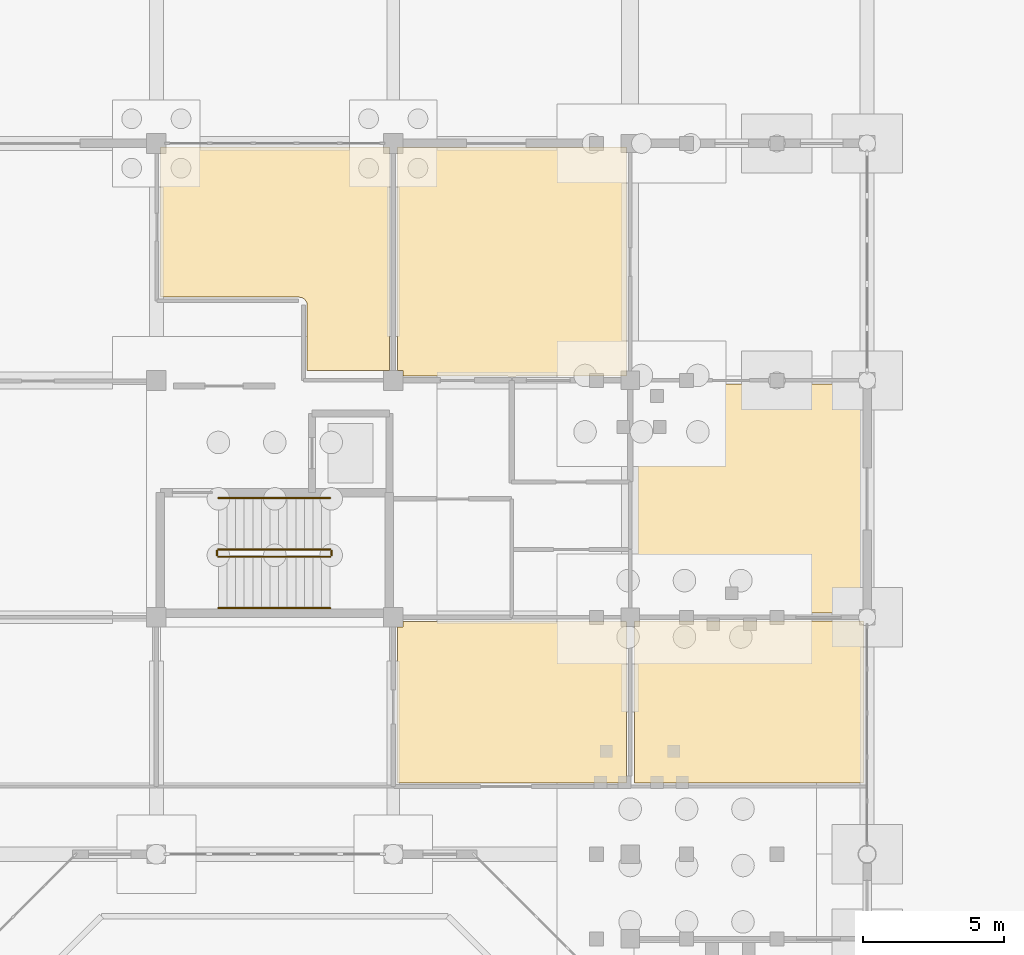
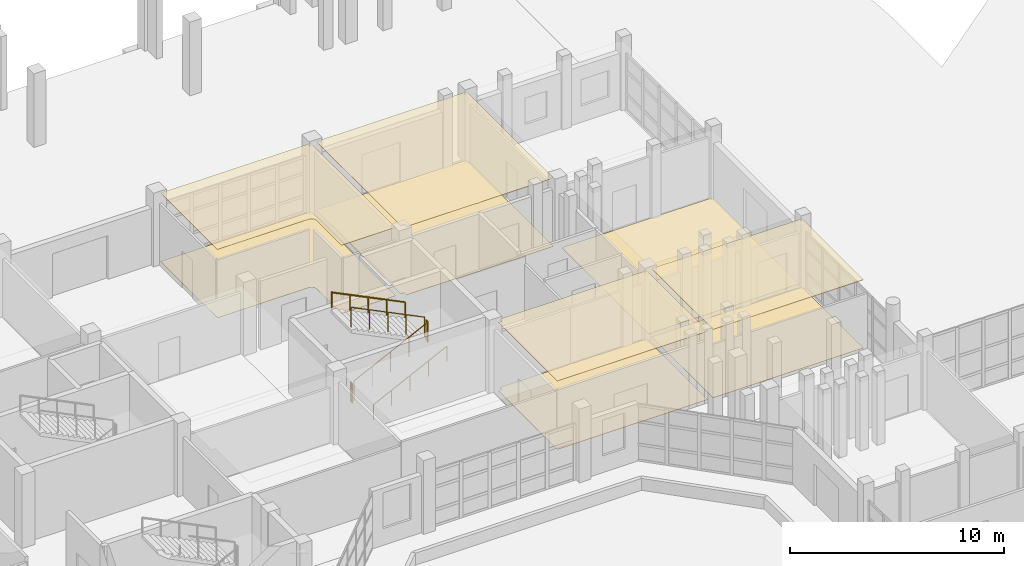
# One storey, part 84 of 88: 9 coverings, 6 railings.
"""IFC4 building model written with IfcOpenShell, lengths in metres."""

import ifcopenshell
import ifcopenshell.guid

model = None  # the IFC model being written
_history = None  # IfcOwnerHistory: only IFC2X3 demands one
_inside = {}  # id of a spatial element -> (the spatial element, [elements in it])
_under = {}  # id of a project, library or spatial element -> (it, [spatial elements below it])
_declared = {}  # id of a project -> (the project, [libraries it declares])
_typed = {}  # id of a type object -> (the type object, [elements of that type])
_made_of = {}  # id of a material, layer set ... -> (it, [elements and type objects made of it])


def new_model(schema):
    """Start an empty IFC model of exactly this schema.

    Asked for "IFC4X3", IfcOpenShell would pick the latest addendum, in which some entities
    have other attributes; the version numbers below select the first issue.
    IFC2X3 requires an IfcOwnerHistory on every rooted entity: one is made here for all.
    """
    global model, _history
    if schema == "IFC4X3":
        model = ifcopenshell.file(schema_version=(4, 3, 0, 0))
    else:
        model = ifcopenshell.file(schema=schema)
    _inside.clear()
    _under.clear()
    _declared.clear()
    _typed.clear()
    _made_of.clear()
    _history = None
    if model.schema == "IFC2X3":
        org = make("IfcOrganization", Name="unknown")
        user = make(
            "IfcPersonAndOrganization",
            ThePerson=make("IfcPerson", FamilyName="unknown"),
            TheOrganization=org,
        )
        app = make(
            "IfcApplication",
            ApplicationDeveloper=org,
            Version="unknown",
            ApplicationFullName="unknown",
            ApplicationIdentifier="unknown",
        )
        _history = make(
            "IfcOwnerHistory",
            OwningUser=user,
            OwningApplication=app,
            ChangeAction="ADDED",
            CreationDate=0,
        )
    return model


def make(cls, **values):
    """One entity of the class cls with the attributes given. An attribute that is None is left unset."""
    return model.create_entity(
        cls, **{name: value for name, value in values.items() if value is not None}
    )


def rooted(cls, **values):
    """An entity with a GlobalId (a new one), such as an element, a storey or a relation."""
    return make(cls, GlobalId=ifcopenshell.guid.new(), OwnerHistory=_history, **values)


def si_unit(unit_type, name, prefix=None):
    """IfcSIUnit, for example si_unit("LENGTHUNIT", "METRE", prefix="MILLI")."""
    return make("IfcSIUnit", UnitType=unit_type, Prefix=prefix, Name=name)


def assignment(units):
    """IfcUnitAssignment: the units of a project."""
    return None if units is None else make("IfcUnitAssignment", Units=units)


def point(xyz):
    """IfcCartesianPoint."""
    return None if xyz is None else make("IfcCartesianPoint", Coordinates=xyz)


def direction(xyz):
    """IfcDirection."""
    return None if xyz is None else make("IfcDirection", DirectionRatios=xyz)


def frame(location, z_axis=None, x_axis=None):
    """IfcAxis2Placement3D, a coordinate frame: its origin and axes. An axis left out is left unset."""
    return make(
        "IfcAxis2Placement3D",
        Location=point(location),
        Axis=direction(z_axis),
        RefDirection=direction(x_axis),
    )


def frame_2d(location, x_axis=None):
    """IfcAxis2Placement2D, a coordinate frame in the plane: its origin and x axis."""
    return make(
        "IfcAxis2Placement2D", Location=point(location), RefDirection=direction(x_axis)
    )


def origin():
    """The frame at (0, 0, 0) with its axes left unset."""
    return frame((0.0, 0.0, 0.0))


def origin_2d():
    """The frame at (0, 0) in the plane with its x axis left unset."""
    return frame_2d((0.0, 0.0))


def place(relative_to, where):
    """IfcLocalPlacement: puts the frame where relative to a parent placement (None: the world)."""
    return make(
        "IfcLocalPlacement", PlacementRelTo=relative_to, RelativePlacement=where
    )


def context(
    kind, dimensions, precision=None, world=None, true_north=None, identifier=None
):
    """IfcGeometricRepresentationContext, for example the 3D "Model" context."""
    return make(
        "IfcGeometricRepresentationContext",
        ContextIdentifier=identifier,
        ContextType=kind,
        CoordinateSpaceDimension=dimensions,
        Precision=precision,
        WorldCoordinateSystem=world,
        TrueNorth=true_north,
    )


def subcontext(parent, identifier, kind, view, scale=None):
    """IfcGeometricRepresentationSubContext, for example "Body" below "Model"."""
    return make(
        "IfcGeometricRepresentationSubContext",
        ContextIdentifier=identifier,
        ContextType=kind,
        ParentContext=parent,
        TargetScale=scale,
        TargetView=view,
    )


def project(units=None, contexts=None):
    """IfcProject with its units and contexts."""
    return rooted(
        "IfcProject",
        Name="project",
        RepresentationContexts=contexts,
        UnitsInContext=assignment(units),
    )


def spatial(cls, under=None, at=None, **own):
    """A site, building, storey or space (cls), placed at a placement, below another one or the project."""
    s = rooted(cls, ObjectPlacement=at, **own)
    if under is not None:
        _under.setdefault(under.id(), (under, []))[1].append(s)
    return s


def polyline(points):
    """IfcPolyline through the points."""
    return make("IfcPolyline", Points=[point(p) for p in points])


def profile(cls, at=None, kind="AREA", **sizes):
    """A parametric profile (cls). Its sizes go by their IFC names, for example OverallWidth=200.0."""
    return make(cls, ProfileType=kind, Position=at, **sizes)


def circle(**sizes):
    """IfcCircleProfileDef."""
    return profile("IfcCircleProfileDef", **sizes)


def outline(outer, holes=None, kind="AREA"):
    """IfcArbitraryClosedProfileDef: a profile drawn as a closed curve; with holes, ...WithVoids."""
    if holes is None:
        return make("IfcArbitraryClosedProfileDef", ProfileType=kind, OuterCurve=outer)
    return make(
        "IfcArbitraryProfileDefWithVoids",
        ProfileType=kind,
        OuterCurve=outer,
        InnerCurves=holes,
    )


def extrude(swept, where, along, depth):
    """IfcExtrudedAreaSolid: the profile swept, set in the frame where, extruded along a direction by depth."""
    return make(
        "IfcExtrudedAreaSolid",
        SweptArea=swept,
        Position=where,
        ExtrudedDirection=direction(along),
        Depth=depth,
    )


def shape(context_of_items, identifier, shape_type, items):
    """IfcShapeRepresentation: the items that make up one representation, for example the "Body"."""
    return make(
        "IfcShapeRepresentation",
        ContextOfItems=context_of_items,
        RepresentationIdentifier=identifier,
        RepresentationType=shape_type,
        Items=items,
    )


def material(Name=None, Category=None):
    """IfcMaterial."""
    return make("IfcMaterial", Name=Name, Category=Category)


def layer(
    of_material, thickness, ventilated=None, Name=None, Category=None, Priority=None
):
    """IfcMaterialLayer: one layer of a wall or slab, of a material (None: an air gap)."""
    return make(
        "IfcMaterialLayer",
        Material=of_material,
        LayerThickness=thickness,
        IsVentilated=ventilated,
        Name=Name,
        Category=Category,
        Priority=Priority,
    )


def layer_set(layers, Name=None):
    """IfcMaterialLayerSet."""
    return make("IfcMaterialLayerSet", MaterialLayers=layers, LayerSetName=Name)


def made_of(thing, what):
    """Note that an element or type object is made of a material, layer set ...; save() writes the relation."""
    if what is not None:
        _made_of.setdefault(what.id(), (what, []))[1].append(thing)
    return thing


def type_object(cls, material=None, **own):
    """A type object (cls), such as IfcWallType, which elements share."""
    return made_of(rooted(cls, **own), material)


def element(
    cls,
    number,
    at=None,
    inside=None,
    cuts=None,
    type_object=None,
    material=None,
    context=None,
    identifier="Body",
    shape_type=None,
    held_by="IfcProductDefinitionShape",
    body=None,
    shapes=None,
    **own,
):
    """One element of the class cls, such as IfcWall. Its Tag is "e" and its number.

    at: its placement. inside: the storey or other place that contains it. cuts: it is an
    opening in that element (IfcRelVoidsElement). A single representation is given by context,
    identifier, shape_type and body (its items); several are given by shapes. held_by: the class
    of the entity that holds the representations. save() writes the other relations.
    """
    e = rooted(cls, Tag="e%d" % number, ObjectPlacement=at, **own)
    if body is not None:
        shapes = [shape(context, identifier, shape_type, body)]
    if shapes is not None:
        e.Representation = make(held_by, Representations=shapes)
    if inside is not None:
        _inside.setdefault(inside.id(), (inside, []))[1].append(e)
    if cuts is not None:
        rooted(
            "IfcRelVoidsElement", RelatingBuildingElement=cuts, RelatedOpeningElement=e
        )
    if type_object is not None:
        _typed.setdefault(type_object.id(), (type_object, []))[1].append(e)
    return made_of(e, material)


def aggregate(whole, parts):
    """IfcRelAggregates: a whole, such as a stair, and the parts it consists of."""
    return rooted("IfcRelAggregates", RelatingObject=whole, RelatedObjects=parts)


def save(model, path):
    """Write the relations noted so far, then the file.

    IfcRelAggregates (storeys below a building ...), IfcRelContainedInSpatialStructure (elements
    in a storey), IfcRelDefinesByType, IfcRelAssociatesMaterial and IfcRelDeclares: one each for
    every whole, place, type object, material and project.
    """
    for whole, parts in _under.values():
        aggregate(whole, parts)
    for where, things in _inside.values():
        rooted(
            "IfcRelContainedInSpatialStructure",
            RelatedElements=things,
            RelatingStructure=where,
        )
    for kind, things in _typed.values():
        rooted("IfcRelDefinesByType", RelatedObjects=things, RelatingType=kind)
    for what, things in _made_of.values():
        rooted("IfcRelAssociatesMaterial", RelatedObjects=things, RelatingMaterial=what)
    for by, libraries in _declared.values():
        rooted("IfcRelDeclares", RelatingContext=by, RelatedDefinitions=libraries)
    model.write(path)


model = new_model("IFC4")

# Units and contexts
model_context = context("Model", 3, precision=1e-05, world=origin(), true_north=direction((0.0, 1.0)))
body_context = subcontext(model_context, "Body", "Model", "MODEL_VIEW")
ifc_project = project(units=[si_unit("LENGTHUNIT", "METRE"), si_unit("AREAUNIT", "SQUARE_METRE"), si_unit("VOLUMEUNIT", "CUBIC_METRE"), si_unit("PLANEANGLEUNIT", "RADIAN"), si_unit("MASSUNIT", "GRAM", prefix="KILO")], contexts=[model_context])

# Site, building, storey
site_placement = place(None, origin())
site = spatial("IfcSite", under=ifc_project, at=site_placement, CompositionType="ELEMENT")
building_placement = place(site_placement, origin())
building = spatial("IfcBuilding", under=site, at=building_placement, Name="Vanh Quang Courtyard School", CompositionType="ELEMENT")
storey_placement = place(building_placement, origin())
storey = spatial("IfcBuildingStorey", under=building, at=storey_placement, Name="L00", CompositionType="ELEMENT", Elevation=0.0)

# Coverings
ifc_material_1 = material(Name="Perforated mineral-fibre acoustic ceiling board")
ifc_layer_1 = layer(ifc_material_1, 0.02490234375)
ifc_layer_set_1 = layer_set([ifc_layer_1], Name="Perforated mineral-fibre acoustic ceiling board")
covering_type_1 = type_object("IfcCoveringType", Name="COV-CEIL-ACOUSTIC", PredefinedType="CEILING", material=ifc_layer_set_1)
covering_1_placement = place(storey_placement, frame((0.0, 0.0, 3.89501953125)))
element("IfcCovering", 1, at=covering_1_placement, inside=storey, type_object=covering_type_1, Name="Covering CV-CL1 (L00)", PredefinedType="CEILING", context=body_context, shape_type="SweptSolid", body=[
    extrude(outline(polyline([(94.35009765625, 96.4599609375), (94.35009765625, 96.4609375), (94.35009765625, 96.4619140625), (94.350341796875, 96.462890625), (94.350830078125, 96.4638671875), (94.351318359375, 96.464599609375), (94.351806640625, 96.465576171875), (94.352294921875, 96.46630859375), (94.352783203125, 96.467041015625), (94.353759765625, 96.4677734375), (94.3544921875, 96.46826171875), (94.355224609375, 96.46875), (94.356201171875, 96.46923828125), (94.357177734375, 96.469482421875), (94.35791015625, 96.4697265625), (94.35888671875, 96.469970703125), (94.360107421875, 96.469970703125), (102.4599609375, 96.469970703125), (102.4609375, 96.469970703125), (102.4619140625, 96.4697265625), (102.462890625, 96.469482421875), (102.4638671875, 96.46923828125), (102.464599609375, 96.46875), (102.465576171875, 96.46826171875), (102.46630859375, 96.4677734375), (102.467041015625, 96.467041015625), (102.4677734375, 96.46630859375), (102.46826171875, 96.465576171875), (102.46875, 96.464599609375), (102.46923828125, 96.4638671875), (102.469482421875, 96.462890625), (102.4697265625, 96.4619140625), (102.469970703125, 96.4609375), (102.469970703125, 96.4599609375), (102.469970703125, 88.550048828125), (99.5498046875, 88.550048828125), (99.549072265625, 90.881591796875), (99.5302734375, 90.964599609375), (99.488037109375, 91.038818359375), (99.426513671875, 91.09716796875), (99.3505859375, 91.13525390625), (99.25927734375, 91.14990234375), (94.360107421875, 91.14990234375), (94.35888671875, 91.14990234375), (94.35791015625, 91.150146484375), (94.357177734375, 91.150390625), (94.356201171875, 91.15087890625), (94.355224609375, 91.151123046875), (94.3544921875, 91.151611328125), (94.353759765625, 91.15234375), (94.352783203125, 91.15283203125), (94.352294921875, 91.15380859375), (94.351806640625, 91.154296875), (94.351318359375, 91.1552734375), (94.350830078125, 91.15625), (94.350341796875, 91.156982421875), (94.35009765625, 91.157958984375), (94.35009765625, 91.158935546875), (94.35009765625, 91.159912109375), (94.35009765625, 96.4599609375)])), origin(), (0.0, 0.0, 1.0), 0.02490234375),
])
covering_2_placement = place(storey_placement, frame((0.0, 0.0, 3.89501953125)))
element("IfcCovering", 2, at=covering_2_placement, inside=storey, type_object=covering_type_1, Name="Covering CV-CL1 (L00)", PredefinedType="CEILING", context=body_context, shape_type="SweptSolid", body=[
    extrude(outline(polyline([(102.75, 79.449951171875), (102.949951171875, 79.449951171875), (102.949951171875, 79.64990234375), (106.6591796875, 79.64990234375), (106.765625, 79.669921875), (106.7666015625, 79.669921875), (106.767333984375, 79.669921875), (106.8525390625, 79.669921875), (106.853515625, 79.669921875), (106.8544921875, 79.669921875), (106.9609375, 79.64990234375), (110.860107421875, 79.64990234375), (110.861083984375, 79.64990234375), (110.862060546875, 79.64990234375), (110.86279296875, 79.649658203125), (110.86376953125, 79.649169921875), (110.86474609375, 79.648681640625), (110.865478515625, 79.648193359375), (110.8662109375, 79.647705078125), (110.8671875, 79.647216796875), (110.86767578125, 79.646240234375), (110.868408203125, 79.6455078125), (110.868896484375, 79.644775390625), (110.869140625, 79.643798828125), (110.86962890625, 79.642822265625), (110.869873046875, 79.64208984375), (110.8701171875, 79.64111328125), (110.8701171875, 79.639892578125), (110.8701171875, 73.93994140625), (110.8701171875, 73.93896484375), (110.869873046875, 73.93798828125), (110.86962890625, 73.93701171875), (110.869140625, 73.936279296875), (110.868896484375, 73.935302734375), (110.868408203125, 73.934326171875), (110.86767578125, 73.93359375), (110.8671875, 73.932861328125), (110.8662109375, 73.932373046875), (110.865478515625, 73.931640625), (110.86474609375, 73.93115234375), (110.86376953125, 73.930908203125), (110.86279296875, 73.930419921875), (110.862060546875, 73.93017578125), (110.861083984375, 73.929931640625), (110.860107421875, 73.929931640625), (102.760009765625, 73.929931640625), (102.759033203125, 73.929931640625), (102.758056640625, 73.93017578125), (102.757080078125, 73.930419921875), (102.756103515625, 73.930908203125), (102.75537109375, 73.93115234375), (102.75439453125, 73.931640625), (102.753662109375, 73.932373046875), (102.7529296875, 73.932861328125), (102.752197265625, 73.93359375), (102.751708984375, 73.934326171875), (102.751220703125, 73.935302734375), (102.750732421875, 73.936279296875), (102.75048828125, 73.93701171875), (102.750244140625, 73.93798828125), (102.75, 73.93896484375), (102.75, 73.93994140625), (102.75, 79.449951171875)])), origin(), (0.0, 0.0, 1.0), 0.02490234375),
])
covering_3_placement = place(storey_placement, frame((0.0, 0.0, 3.89501953125)))
element("IfcCovering", 3, at=covering_3_placement, inside=storey, type_object=covering_type_1, Name="Covering CV-CL1 (L00)", PredefinedType="CEILING", context=body_context, shape_type="SweptSolid", body=[
    extrude(outline(polyline([(102.949951171875, 88.35009765625), (102.949951171875, 88.550048828125), (102.75, 88.550048828125), (102.75, 96.4599609375), (102.75, 96.4609375), (102.750244140625, 96.4619140625), (102.75048828125, 96.462890625), (102.750732421875, 96.4638671875), (102.751220703125, 96.464599609375), (102.751708984375, 96.465576171875), (102.752197265625, 96.46630859375), (102.7529296875, 96.467041015625), (102.753662109375, 96.4677734375), (102.75439453125, 96.46826171875), (102.75537109375, 96.46875), (102.756103515625, 96.46923828125), (102.757080078125, 96.469482421875), (102.758056640625, 96.4697265625), (102.759033203125, 96.469970703125), (102.760009765625, 96.469970703125), (110.860107421875, 96.469970703125), (110.861083984375, 96.469970703125), (110.862060546875, 96.4697265625), (110.86279296875, 96.469482421875), (110.86376953125, 96.46923828125), (110.86474609375, 96.46875), (110.865478515625, 96.46826171875), (110.8662109375, 96.4677734375), (110.8671875, 96.467041015625), (110.86767578125, 96.46630859375), (110.868408203125, 96.465576171875), (110.868896484375, 96.464599609375), (110.869140625, 96.4638671875), (110.86962890625, 96.462890625), (110.869873046875, 96.4619140625), (110.8701171875, 96.4609375), (110.8701171875, 96.4599609375), (110.8701171875, 88.360107421875), (110.8701171875, 88.35888671875), (110.869873046875, 88.35791015625), (110.86962890625, 88.357177734375), (110.869140625, 88.356201171875), (110.868896484375, 88.355224609375), (110.868408203125, 88.3544921875), (110.86767578125, 88.353759765625), (110.8671875, 88.352783203125), (110.8662109375, 88.352294921875), (110.865478515625, 88.351806640625), (110.86474609375, 88.351318359375), (110.86376953125, 88.350830078125), (110.86279296875, 88.350341796875), (110.862060546875, 88.35009765625), (110.861083984375, 88.35009765625), (110.860107421875, 88.35009765625), (106.9609375, 88.35009765625), (106.8544921875, 88.330078125), (106.853515625, 88.330078125), (106.8525390625, 88.330078125), (106.767333984375, 88.330078125), (106.7666015625, 88.330078125), (106.765625, 88.330078125), (106.6591796875, 88.35009765625), (102.949951171875, 88.35009765625)])), origin(), (0.0, 0.0, 1.0), 0.02490234375),
])
covering_4_placement = place(storey_placement, frame((0.0, 0.0, 3.89501953125)))
element("IfcCovering", 4, at=covering_4_placement, inside=storey, type_object=covering_type_1, Name="Covering CV-CL1 (L00)", PredefinedType="CEILING", context=body_context, shape_type="SweptSolid", body=[
    extrude(outline(polyline([(111.159912109375, 73.929931640625), (111.158935546875, 73.929931640625), (111.157958984375, 73.93017578125), (111.156982421875, 73.930419921875), (111.15625, 73.930908203125), (111.1552734375, 73.93115234375), (111.154296875, 73.931640625), (111.15380859375, 73.932373046875), (111.15283203125, 73.932861328125), (111.15234375, 73.93359375), (111.151611328125, 73.934326171875), (111.151123046875, 73.935302734375), (111.15087890625, 73.936279296875), (111.150390625, 73.93701171875), (111.150146484375, 73.93798828125), (111.14990234375, 73.93896484375), (111.14990234375, 73.93994140625), (111.149169921875, 79.659912109375), (111.149169921875, 79.660888671875), (111.1494140625, 79.661865234375), (111.149658203125, 79.662841796875), (111.14990234375, 79.663818359375), (111.150390625, 79.664794921875), (111.15087890625, 79.66552734375), (111.151611328125, 79.666259765625), (111.152099609375, 79.6669921875), (111.15283203125, 79.667724609375), (111.153564453125, 79.668212890625), (111.154541015625, 79.668701171875), (111.155517578125, 79.669189453125), (111.15625, 79.669677734375), (111.1572265625, 79.669921875), (111.158203125, 79.669921875), (111.1591796875, 79.669921875), (119.260009765625, 79.669921875), (119.260986328125, 79.669921875), (119.261962890625, 79.669921875), (119.262939453125, 79.669677734375), (119.263916015625, 79.669189453125), (119.2646484375, 79.668701171875), (119.265625, 79.668212890625), (119.266357421875, 79.667724609375), (119.26708984375, 79.6669921875), (119.267578125, 79.666259765625), (119.268310546875, 79.66552734375), (119.268798828125, 79.664794921875), (119.269287109375, 79.663818359375), (119.26953125, 79.662841796875), (119.269775390625, 79.662109375), (119.27001953125, 79.660888671875), (119.27001953125, 79.659912109375), (119.27001953125, 73.93994140625), (119.27001953125, 73.93896484375), (119.269775390625, 73.93798828125), (119.26953125, 73.93701171875), (119.269287109375, 73.936279296875), (119.268798828125, 73.935302734375), (119.268310546875, 73.934326171875), (119.267578125, 73.93359375), (119.26708984375, 73.932861328125), (119.266357421875, 73.932373046875), (119.265625, 73.931640625), (119.2646484375, 73.93115234375), (119.263916015625, 73.930908203125), (119.262939453125, 73.930419921875), (119.261962890625, 73.93017578125), (119.260986328125, 73.929931640625), (119.260009765625, 73.929931640625), (111.159912109375, 73.929931640625)])), origin(), (0.0, 0.0, 1.0), 0.02490234375),
])
ifc_material_2 = material(Name="Polished cementitious terrazzo tile", Category="concrete")
ifc_layer_2 = layer(ifc_material_2, 0.02001953125)
ifc_layer_set_2 = layer_set([ifc_layer_2], Name="Polished cementitious terrazzo tile")
covering_type_2 = type_object("IfcCoveringType", Name="COV-FLR-TERRAZZO", PredefinedType="FLOORING", material=ifc_layer_set_2)
covering_5_placement = place(storey_placement, origin())
element("IfcCovering", 5, at=covering_5_placement, inside=storey, type_object=covering_type_2, Name="Covering CV-FL1 (L00)", PredefinedType="FLOORING", context=body_context, shape_type="SweptSolid", body=[
    extrude(outline(polyline([(94.35009765625, 96.4599609375), (94.35009765625, 96.4609375), (94.35009765625, 96.4619140625), (94.350341796875, 96.462890625), (94.350830078125, 96.4638671875), (94.351318359375, 96.464599609375), (94.351806640625, 96.465576171875), (94.352294921875, 96.46630859375), (94.352783203125, 96.467041015625), (94.353759765625, 96.4677734375), (94.3544921875, 96.46826171875), (94.355224609375, 96.46875), (94.356201171875, 96.46923828125), (94.357177734375, 96.469482421875), (94.35791015625, 96.4697265625), (94.35888671875, 96.469970703125), (94.360107421875, 96.469970703125), (102.4599609375, 96.469970703125), (102.4609375, 96.469970703125), (102.4619140625, 96.4697265625), (102.462890625, 96.469482421875), (102.4638671875, 96.46923828125), (102.464599609375, 96.46875), (102.465576171875, 96.46826171875), (102.46630859375, 96.4677734375), (102.467041015625, 96.467041015625), (102.4677734375, 96.46630859375), (102.46826171875, 96.465576171875), (102.46875, 96.464599609375), (102.46923828125, 96.4638671875), (102.469482421875, 96.462890625), (102.4697265625, 96.4619140625), (102.469970703125, 96.4609375), (102.469970703125, 96.4599609375), (102.469970703125, 88.550048828125), (99.5498046875, 88.550048828125), (99.549072265625, 90.881591796875), (99.5302734375, 90.964599609375), (99.488037109375, 91.038818359375), (99.426513671875, 91.09716796875), (99.3505859375, 91.13525390625), (99.25927734375, 91.14990234375), (94.360107421875, 91.14990234375), (94.35888671875, 91.14990234375), (94.35791015625, 91.150146484375), (94.357177734375, 91.150390625), (94.356201171875, 91.15087890625), (94.355224609375, 91.151123046875), (94.3544921875, 91.151611328125), (94.353759765625, 91.15234375), (94.352783203125, 91.15283203125), (94.352294921875, 91.15380859375), (94.351806640625, 91.154296875), (94.351318359375, 91.1552734375), (94.350830078125, 91.15625), (94.350341796875, 91.156982421875), (94.35009765625, 91.157958984375), (94.35009765625, 91.158935546875), (94.35009765625, 91.159912109375), (94.35009765625, 96.4599609375)])), origin(), (0.0, 0.0, 1.0), 0.02001953125),
])
covering_6_placement = place(storey_placement, origin())
element("IfcCovering", 6, at=covering_6_placement, inside=storey, type_object=covering_type_2, Name="Covering CV-FL1 (L00)", PredefinedType="FLOORING", context=body_context, shape_type="SweptSolid", body=[
    extrude(outline(polyline([(102.75, 79.449951171875), (102.949951171875, 79.449951171875), (102.949951171875, 79.64990234375), (106.6591796875, 79.64990234375), (106.765625, 79.669921875), (106.7666015625, 79.669921875), (106.767333984375, 79.669921875), (106.8525390625, 79.669921875), (106.853515625, 79.669921875), (106.8544921875, 79.669921875), (106.9609375, 79.64990234375), (110.860107421875, 79.64990234375), (110.861083984375, 79.64990234375), (110.862060546875, 79.64990234375), (110.86279296875, 79.649658203125), (110.86376953125, 79.649169921875), (110.86474609375, 79.648681640625), (110.865478515625, 79.648193359375), (110.8662109375, 79.647705078125), (110.8671875, 79.647216796875), (110.86767578125, 79.646240234375), (110.868408203125, 79.6455078125), (110.868896484375, 79.644775390625), (110.869140625, 79.643798828125), (110.86962890625, 79.642822265625), (110.869873046875, 79.64208984375), (110.8701171875, 79.64111328125), (110.8701171875, 79.639892578125), (110.8701171875, 73.93994140625), (110.8701171875, 73.93896484375), (110.869873046875, 73.93798828125), (110.86962890625, 73.93701171875), (110.869140625, 73.936279296875), (110.868896484375, 73.935302734375), (110.868408203125, 73.934326171875), (110.86767578125, 73.93359375), (110.8671875, 73.932861328125), (110.8662109375, 73.932373046875), (110.865478515625, 73.931640625), (110.86474609375, 73.93115234375), (110.86376953125, 73.930908203125), (110.86279296875, 73.930419921875), (110.862060546875, 73.93017578125), (110.861083984375, 73.929931640625), (110.860107421875, 73.929931640625), (102.760009765625, 73.929931640625), (102.759033203125, 73.929931640625), (102.758056640625, 73.93017578125), (102.757080078125, 73.930419921875), (102.756103515625, 73.930908203125), (102.75537109375, 73.93115234375), (102.75439453125, 73.931640625), (102.753662109375, 73.932373046875), (102.7529296875, 73.932861328125), (102.752197265625, 73.93359375), (102.751708984375, 73.934326171875), (102.751220703125, 73.935302734375), (102.750732421875, 73.936279296875), (102.75048828125, 73.93701171875), (102.750244140625, 73.93798828125), (102.75, 73.93896484375), (102.75, 73.93994140625), (102.75, 79.449951171875)])), origin(), (0.0, 0.0, 1.0), 0.02001953125),
])
covering_7_placement = place(storey_placement, origin())
element("IfcCovering", 7, at=covering_7_placement, inside=storey, type_object=covering_type_2, Name="Covering CV-FL1 (L00)", PredefinedType="FLOORING", context=body_context, shape_type="SweptSolid", body=[
    extrude(outline(polyline([(102.949951171875, 88.35009765625), (102.949951171875, 88.550048828125), (102.75, 88.550048828125), (102.75, 96.4599609375), (102.75, 96.4609375), (102.750244140625, 96.4619140625), (102.75048828125, 96.462890625), (102.750732421875, 96.4638671875), (102.751220703125, 96.464599609375), (102.751708984375, 96.465576171875), (102.752197265625, 96.46630859375), (102.7529296875, 96.467041015625), (102.753662109375, 96.4677734375), (102.75439453125, 96.46826171875), (102.75537109375, 96.46875), (102.756103515625, 96.46923828125), (102.757080078125, 96.469482421875), (102.758056640625, 96.4697265625), (102.759033203125, 96.469970703125), (102.760009765625, 96.469970703125), (110.860107421875, 96.469970703125), (110.861083984375, 96.469970703125), (110.862060546875, 96.4697265625), (110.86279296875, 96.469482421875), (110.86376953125, 96.46923828125), (110.86474609375, 96.46875), (110.865478515625, 96.46826171875), (110.8662109375, 96.4677734375), (110.8671875, 96.467041015625), (110.86767578125, 96.46630859375), (110.868408203125, 96.465576171875), (110.868896484375, 96.464599609375), (110.869140625, 96.4638671875), (110.86962890625, 96.462890625), (110.869873046875, 96.4619140625), (110.8701171875, 96.4609375), (110.8701171875, 96.4599609375), (110.8701171875, 88.360107421875), (110.8701171875, 88.35888671875), (110.869873046875, 88.35791015625), (110.86962890625, 88.357177734375), (110.869140625, 88.356201171875), (110.868896484375, 88.355224609375), (110.868408203125, 88.3544921875), (110.86767578125, 88.353759765625), (110.8671875, 88.352783203125), (110.8662109375, 88.352294921875), (110.865478515625, 88.351806640625), (110.86474609375, 88.351318359375), (110.86376953125, 88.350830078125), (110.86279296875, 88.350341796875), (110.862060546875, 88.35009765625), (110.861083984375, 88.35009765625), (110.860107421875, 88.35009765625), (106.9609375, 88.35009765625), (106.8544921875, 88.330078125), (106.853515625, 88.330078125), (106.8525390625, 88.330078125), (106.767333984375, 88.330078125), (106.7666015625, 88.330078125), (106.765625, 88.330078125), (106.6591796875, 88.35009765625), (102.949951171875, 88.35009765625)])), origin(), (0.0, 0.0, 1.0), 0.02001953125),
])
covering_8_placement = place(storey_placement, origin())
element("IfcCovering", 8, at=covering_8_placement, inside=storey, type_object=covering_type_2, Name="Covering CV-FL1 (L00)", PredefinedType="FLOORING", context=body_context, shape_type="SweptSolid", body=[
    extrude(outline(polyline([(111.159912109375, 73.929931640625), (111.158935546875, 73.929931640625), (111.157958984375, 73.93017578125), (111.156982421875, 73.930419921875), (111.15625, 73.930908203125), (111.1552734375, 73.93115234375), (111.154296875, 73.931640625), (111.15380859375, 73.932373046875), (111.15283203125, 73.932861328125), (111.15234375, 73.93359375), (111.151611328125, 73.934326171875), (111.151123046875, 73.935302734375), (111.15087890625, 73.936279296875), (111.150390625, 73.93701171875), (111.150146484375, 73.93798828125), (111.14990234375, 73.93896484375), (111.14990234375, 73.93994140625), (111.149169921875, 79.659912109375), (111.149169921875, 79.660888671875), (111.1494140625, 79.661865234375), (111.149658203125, 79.662841796875), (111.14990234375, 79.663818359375), (111.150390625, 79.664794921875), (111.15087890625, 79.66552734375), (111.151611328125, 79.666259765625), (111.152099609375, 79.6669921875), (111.15283203125, 79.667724609375), (111.153564453125, 79.668212890625), (111.154541015625, 79.668701171875), (111.155517578125, 79.669189453125), (111.15625, 79.669677734375), (111.1572265625, 79.669921875), (111.158203125, 79.669921875), (111.1591796875, 79.669921875), (119.260009765625, 79.669921875), (119.260986328125, 79.669921875), (119.261962890625, 79.669921875), (119.262939453125, 79.669677734375), (119.263916015625, 79.669189453125), (119.2646484375, 79.668701171875), (119.265625, 79.668212890625), (119.266357421875, 79.667724609375), (119.26708984375, 79.6669921875), (119.267578125, 79.666259765625), (119.268310546875, 79.66552734375), (119.268798828125, 79.664794921875), (119.269287109375, 79.663818359375), (119.26953125, 79.662841796875), (119.269775390625, 79.662109375), (119.27001953125, 79.660888671875), (119.27001953125, 79.659912109375), (119.27001953125, 73.93994140625), (119.27001953125, 73.93896484375), (119.269775390625, 73.93798828125), (119.26953125, 73.93701171875), (119.269287109375, 73.936279296875), (119.268798828125, 73.935302734375), (119.268310546875, 73.934326171875), (119.267578125, 73.93359375), (119.26708984375, 73.932861328125), (119.266357421875, 73.932373046875), (119.265625, 73.931640625), (119.2646484375, 73.93115234375), (119.263916015625, 73.930908203125), (119.262939453125, 73.930419921875), (119.261962890625, 73.93017578125), (119.260986328125, 73.929931640625), (119.260009765625, 73.929931640625), (111.159912109375, 73.929931640625)])), origin(), (0.0, 0.0, 1.0), 0.02001953125),
])
covering_9_placement = place(storey_placement, origin())
element("IfcCovering", 9, at=covering_9_placement, inside=storey, type_object=covering_type_2, Name="Covering CV-FL1 (L00)", PredefinedType="FLOORING", context=body_context, shape_type="SweptSolid", body=[
    extrude(outline(polyline([(111.159912109375, 79.949951171875), (111.158935546875, 79.949951171875), (111.157958984375, 79.9501953125), (111.156982421875, 79.950439453125), (111.15625, 79.95068359375), (111.1552734375, 79.951171875), (111.154296875, 79.95166015625), (111.15380859375, 79.952392578125), (111.15283203125, 79.952880859375), (111.15234375, 79.95361328125), (111.151611328125, 79.954345703125), (111.151123046875, 79.955322265625), (111.15087890625, 79.956298828125), (111.150390625, 79.95703125), (111.150146484375, 79.9580078125), (111.14990234375, 79.958984375), (111.14990234375, 79.9599609375), (111.14990234375, 82.05908203125), (111.130126953125, 82.16552734375), (111.1298828125, 82.16650390625), (111.1298828125, 82.16748046875), (111.1298828125, 82.252685546875), (111.1298828125, 82.25341796875), (111.130126953125, 82.25439453125), (111.14990234375, 82.36083984375), (111.14990234375, 84.458984375), (111.130126953125, 84.565673828125), (111.1298828125, 84.56640625), (111.1298828125, 84.5673828125), (111.1298828125, 84.652587890625), (111.1298828125, 84.653564453125), (111.130126953125, 84.654296875), (111.14990234375, 84.760986328125), (111.14990234375, 88.06005859375), (111.14990234375, 88.06103515625), (111.150146484375, 88.06201171875), (111.150390625, 88.06298828125), (111.15087890625, 88.063720703125), (111.151123046875, 88.064697265625), (111.151611328125, 88.065673828125), (111.15234375, 88.06640625), (111.15283203125, 88.067138671875), (111.15380859375, 88.067626953125), (111.154296875, 88.068359375), (111.1552734375, 88.06884765625), (111.15625, 88.069091796875), (111.156982421875, 88.069580078125), (111.157958984375, 88.06982421875), (111.158935546875, 88.070068359375), (111.159912109375, 88.070068359375), (119.260009765625, 88.070068359375), (119.260986328125, 88.070068359375), (119.261962890625, 88.06982421875), (119.262939453125, 88.069580078125), (119.263916015625, 88.069091796875), (119.2646484375, 88.06884765625), (119.265625, 88.068359375), (119.266357421875, 88.067626953125), (119.26708984375, 88.067138671875), (119.267578125, 88.06640625), (119.268310546875, 88.065673828125), (119.268798828125, 88.064697265625), (119.269287109375, 88.063720703125), (119.26953125, 88.06298828125), (119.269775390625, 88.06201171875), (119.27001953125, 88.06103515625), (119.27001953125, 88.06005859375), (119.27001953125, 79.9599609375), (119.27001953125, 79.958984375), (119.269775390625, 79.9580078125), (119.26953125, 79.95703125), (119.269287109375, 79.956298828125), (119.268798828125, 79.955322265625), (119.268310546875, 79.954345703125), (119.267578125, 79.95361328125), (119.26708984375, 79.952880859375), (119.266357421875, 79.952392578125), (119.265625, 79.95166015625), (119.2646484375, 79.951171875), (119.263916015625, 79.95068359375), (119.262939453125, 79.950439453125), (119.261962890625, 79.9501953125), (119.260986328125, 79.949951171875), (119.260009765625, 79.949951171875), (111.159912109375, 79.949951171875)])), origin(), (0.0, 0.0, 1.0), 0.02001953125),
])

# Railings
ifc_material_3 = material(Name="Galvanised painted steel EN 10025-2 S355J2", Category="steel")
railing_type_1 = type_object("IfcRailingType", Name="RAIL-GUARD-1150", PredefinedType="BALUSTRADE", material=ifc_material_3)
railing_1_placement = place(storey_placement, frame((96.39990234375, 81.949951171875, 0.14990234375)))
element("IfcRailing", 10, at=railing_1_placement, inside=storey, type_object=railing_type_1, Name="L00 ST-02 stair guard 1", PredefinedType="BALUSTRADE", context=body_context, shape_type="SweptSolid", body=[
    extrude(circle(Radius=0.02392578125, at=origin_2d()), frame((0.0, 0.0, 1.1259765625), z_axis=(0.897336335206, 0.0, 0.441347370582), x_axis=(0.0, 1.0, 0.0)), (0.0, 0.0, 1.0), 4.418701171875),
    extrude(circle(Radius=0.02099609375, at=origin_2d()), origin(), (0.0, 0.0, 1.0), 1.101806640625),
    extrude(circle(Radius=0.02099609375, at=origin_2d()), frame((0.9912109375, 0.0, 0.487548828125)), (0.0, 0.0, 1.0), 1.101806640625),
    extrude(circle(Radius=0.02099609375, at=origin_2d()), frame((1.982421875, 0.0, 0.97509765625)), (0.0, 0.0, 1.0), 1.101806640625),
    extrude(circle(Radius=0.02099609375, at=origin_2d()), frame((2.973876953125, 0.0, 1.462646484375)), (0.0, 0.0, 1.0), 1.101806640625),
    extrude(circle(Radius=0.02099609375, at=origin_2d()), frame((3.965087890625, 0.0, 1.9501953125)), (0.0, 0.0, 1.0), 1.101806640625),
])
railing_2_placement = place(storey_placement, frame((100.4150390625, 82.0, 2.10009765625)))
element("IfcRailing", 11, at=railing_2_placement, inside=storey, type_object=railing_type_1, Name="L00 ST-02 stair guard 2", PredefinedType="BALUSTRADE", context=body_context, shape_type="SweptSolid", body=[
    extrude(circle(Radius=0.02392578125, at=origin_2d()), frame((0.0, 0.0, 1.1259765625), z_axis=(0.0, 1.0, 0.0), x_axis=(-1.0, 0.0, 0.0)), (0.0, 0.0, 1.0), 0.159912109375),
    extrude(circle(Radius=0.02099609375, at=origin_2d()), origin(), (0.0, 0.0, 1.0), 1.101806640625),
    extrude(circle(Radius=0.02099609375, at=origin_2d()), frame((0.0, 0.159912109375, 0.0)), (0.0, 0.0, 1.0), 1.101806640625),
])
railing_3_placement = place(storey_placement, frame((100.364990234375, 82.2099609375, 2.25)))
element("IfcRailing", 12, at=railing_3_placement, inside=storey, type_object=railing_type_1, Name="L00 ST-02 stair guard 3", PredefinedType="BALUSTRADE", context=body_context, shape_type="SweptSolid", body=[
    extrude(circle(Radius=0.02392578125, at=origin_2d()), frame((0.0, 0.0, 1.1259765625), z_axis=(-0.897358216196, 0.0, 0.441302879919), x_axis=(0.0, -1.0, 0.0)), (0.0, 0.0, 1.0), 4.418701171875),
    extrude(circle(Radius=0.02099609375, at=origin_2d()), origin(), (0.0, 0.0, 1.0), 1.101806640625),
    extrude(circle(Radius=0.02099609375, at=origin_2d()), frame((-0.9912109375, 0.0, 0.487548828125)), (0.0, 0.0, 1.0), 1.101806640625),
    extrude(circle(Radius=0.02099609375, at=origin_2d()), frame((-1.982421875, 0.0, 0.97509765625)), (0.0, 0.0, 1.0), 1.101806640625),
    extrude(circle(Radius=0.02099609375, at=origin_2d()), frame((-2.973876953125, 0.0, 1.46240234375)), (0.0, 0.0, 1.0), 1.101806640625),
    extrude(circle(Radius=0.02099609375, at=origin_2d()), frame((-3.965087890625, 0.0, 1.949951171875)), (0.0, 0.0, 1.0), 1.101806640625),
])
railing_4_placement = place(storey_placement, frame((96.35009765625, 82.0, 0.0)))
element("IfcRailing", 13, at=railing_4_placement, inside=storey, type_object=railing_type_1, Name="L00 ST-02 stair guard 4", PredefinedType="BALUSTRADE", context=body_context, shape_type="SweptSolid", body=[
    extrude(circle(Radius=0.02392578125, at=origin_2d()), frame((0.0, 0.0, 1.1259765625), z_axis=(0.0, 1.0, 0.0), x_axis=(-1.0, 0.0, 0.0)), (0.0, 0.0, 1.0), 0.159912109375),
    extrude(circle(Radius=0.02099609375, at=origin_2d()), origin(), (0.0, 0.0, 1.0), 1.101806640625),
    extrude(circle(Radius=0.02099609375, at=origin_2d()), frame((0.0, 0.159912109375, 0.0)), (0.0, 0.0, 1.0), 1.101806640625),
])
ifc_material_4 = material(Name="Brushed stainless steel", Category="steel")
railing_type_2 = type_object("IfcRailingType", Name="RAIL-HAND-900", PredefinedType="HANDRAIL", material=ifc_material_4)
railing_5_placement = place(storey_placement, frame((96.39990234375, 80.1298828125, 0.14990234375)))
element("IfcRailing", 14, at=railing_5_placement, inside=storey, type_object=railing_type_2, Name="L00 ST-02 stair handrail 1", PredefinedType="HANDRAIL", context=body_context, shape_type="SweptSolid", body=[
    extrude(circle(Radius=0.02392578125, at=origin_2d()), frame((0.0, 0.0, 0.8759765625), z_axis=(0.897336335206, 0.0, 0.441347370582), x_axis=(0.0, 1.0, 0.0)), (0.0, 0.0, 1.0), 4.418701171875),
    extrude(circle(Radius=0.02099609375, at=origin_2d()), origin(), (0.0, 0.0, 1.0), 0.851806640625),
    extrude(circle(Radius=0.02099609375, at=origin_2d()), frame((0.9912109375, 0.0, 0.487548828125)), (0.0, 0.0, 1.0), 0.851806640625),
    extrude(circle(Radius=0.02099609375, at=origin_2d()), frame((1.982421875, 0.0, 0.97509765625)), (0.0, 0.0, 1.0), 0.851806640625),
    extrude(circle(Radius=0.02099609375, at=origin_2d()), frame((2.973876953125, 0.0, 1.462646484375)), (0.0, 0.0, 1.0), 0.851806640625),
    extrude(circle(Radius=0.02099609375, at=origin_2d()), frame((3.965087890625, 0.0, 1.9501953125)), (0.0, 0.0, 1.0), 0.851806640625),
])
railing_6_placement = place(storey_placement, frame((100.364990234375, 84.030029296875, 2.25)))
element("IfcRailing", 15, at=railing_6_placement, inside=storey, type_object=railing_type_2, Name="L00 ST-02 stair handrail 2", PredefinedType="HANDRAIL", context=body_context, shape_type="SweptSolid", body=[
    extrude(circle(Radius=0.02392578125, at=origin_2d()), frame((0.0, 0.0, 0.8759765625), z_axis=(-0.897358216196, 0.0, 0.441302879919), x_axis=(0.0, -1.0, 0.0)), (0.0, 0.0, 1.0), 4.418701171875),
    extrude(circle(Radius=0.02099609375, at=origin_2d()), origin(), (0.0, 0.0, 1.0), 0.851806640625),
    extrude(circle(Radius=0.02099609375, at=origin_2d()), frame((-0.9912109375, 0.0, 0.487548828125)), (0.0, 0.0, 1.0), 0.851806640625),
    extrude(circle(Radius=0.02099609375, at=origin_2d()), frame((-1.982421875, 0.0, 0.97509765625)), (0.0, 0.0, 1.0), 0.851806640625),
    extrude(circle(Radius=0.02099609375, at=origin_2d()), frame((-2.973876953125, 0.0, 1.46240234375)), (0.0, 0.0, 1.0), 0.851806640625),
    extrude(circle(Radius=0.02099609375, at=origin_2d()), frame((-3.965087890625, 0.0, 1.949951171875)), (0.0, 0.0, 1.0), 0.851806640625),
])

save(model, "model.ifc")
